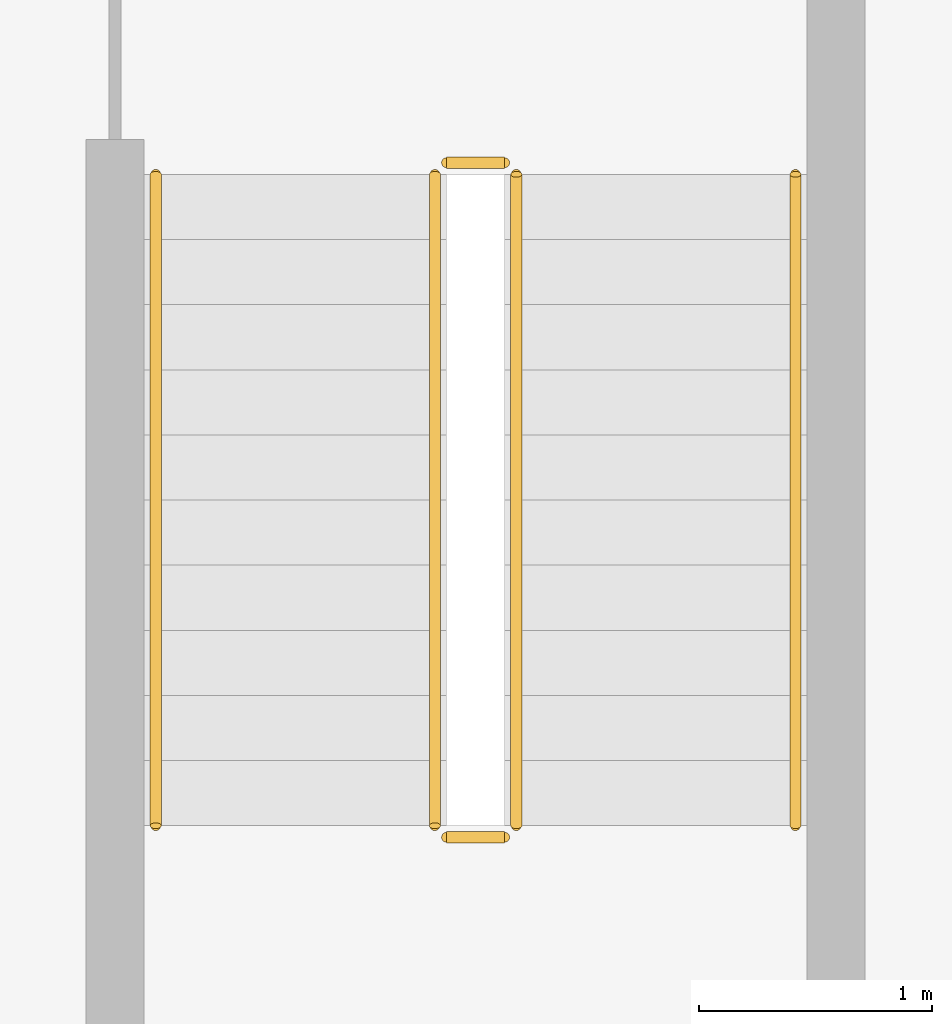
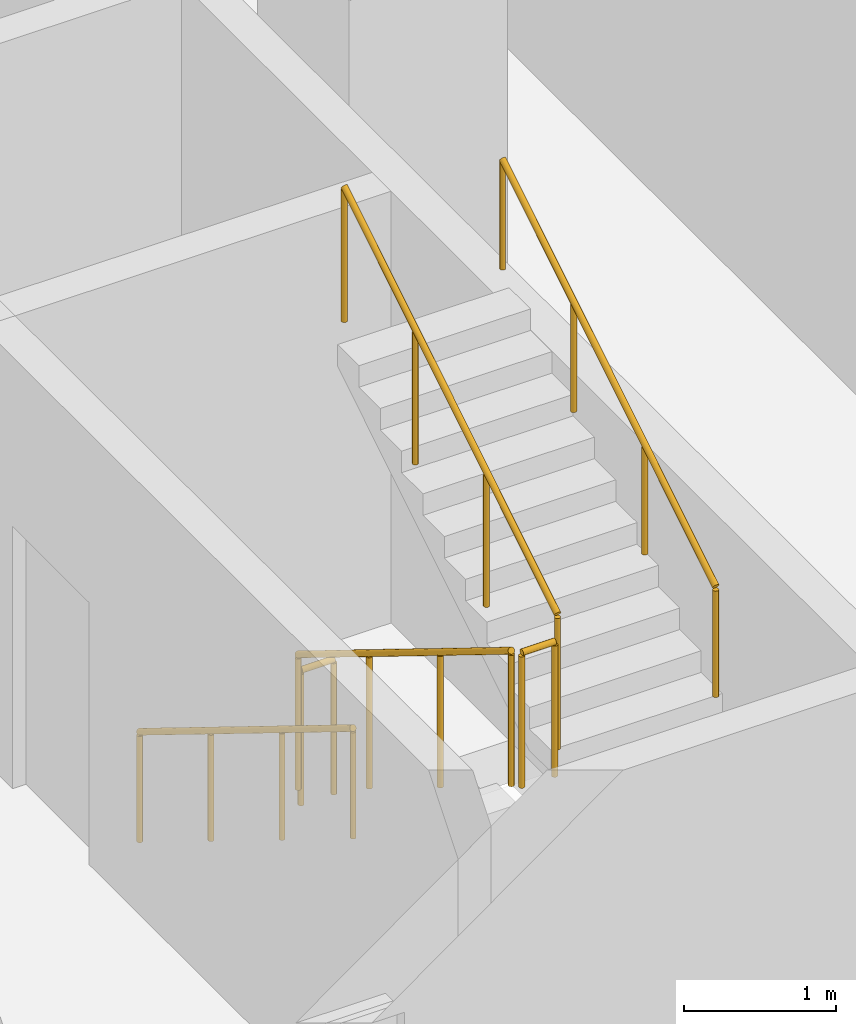
# One storey, part 23 of 27: 6 railings.
"""IFC4 building model written with IfcOpenShell, lengths in metres."""

import ifcopenshell
import ifcopenshell.guid

model = None  # the IFC model being written
_history = None  # IfcOwnerHistory: only IFC2X3 demands one
_inside = {}  # id of a spatial element -> (the spatial element, [elements in it])
_under = {}  # id of a project, library or spatial element -> (it, [spatial elements below it])
_declared = {}  # id of a project -> (the project, [libraries it declares])
_typed = {}  # id of a type object -> (the type object, [elements of that type])
_made_of = {}  # id of a material, layer set ... -> (it, [elements and type objects made of it])


def new_model(schema):
    """Start an empty IFC model of exactly this schema.

    Asked for "IFC4X3", IfcOpenShell would pick the latest addendum, in which some entities
    have other attributes; the version numbers below select the first issue.
    IFC2X3 requires an IfcOwnerHistory on every rooted entity: one is made here for all.
    """
    global model, _history
    if schema == "IFC4X3":
        model = ifcopenshell.file(schema_version=(4, 3, 0, 0))
    else:
        model = ifcopenshell.file(schema=schema)
    _inside.clear()
    _under.clear()
    _declared.clear()
    _typed.clear()
    _made_of.clear()
    _history = None
    if model.schema == "IFC2X3":
        org = make("IfcOrganization", Name="unknown")
        user = make(
            "IfcPersonAndOrganization",
            ThePerson=make("IfcPerson", FamilyName="unknown"),
            TheOrganization=org,
        )
        app = make(
            "IfcApplication",
            ApplicationDeveloper=org,
            Version="unknown",
            ApplicationFullName="unknown",
            ApplicationIdentifier="unknown",
        )
        _history = make(
            "IfcOwnerHistory",
            OwningUser=user,
            OwningApplication=app,
            ChangeAction="ADDED",
            CreationDate=0,
        )
    return model


def make(cls, **values):
    """One entity of the class cls with the attributes given. An attribute that is None is left unset."""
    return model.create_entity(
        cls, **{name: value for name, value in values.items() if value is not None}
    )


def rooted(cls, **values):
    """An entity with a GlobalId (a new one), such as an element, a storey or a relation."""
    return make(cls, GlobalId=ifcopenshell.guid.new(), OwnerHistory=_history, **values)


def si_unit(unit_type, name, prefix=None):
    """IfcSIUnit, for example si_unit("LENGTHUNIT", "METRE", prefix="MILLI")."""
    return make("IfcSIUnit", UnitType=unit_type, Prefix=prefix, Name=name)


def assignment(units):
    """IfcUnitAssignment: the units of a project."""
    return None if units is None else make("IfcUnitAssignment", Units=units)


def point(xyz):
    """IfcCartesianPoint."""
    return None if xyz is None else make("IfcCartesianPoint", Coordinates=xyz)


def direction(xyz):
    """IfcDirection."""
    return None if xyz is None else make("IfcDirection", DirectionRatios=xyz)


def frame(location, z_axis=None, x_axis=None):
    """IfcAxis2Placement3D, a coordinate frame: its origin and axes. An axis left out is left unset."""
    return make(
        "IfcAxis2Placement3D",
        Location=point(location),
        Axis=direction(z_axis),
        RefDirection=direction(x_axis),
    )


def frame_2d(location, x_axis=None):
    """IfcAxis2Placement2D, a coordinate frame in the plane: its origin and x axis."""
    return make(
        "IfcAxis2Placement2D", Location=point(location), RefDirection=direction(x_axis)
    )


def origin():
    """The frame at (0, 0, 0) with its axes left unset."""
    return frame((0.0, 0.0, 0.0))


def origin_2d():
    """The frame at (0, 0) in the plane with its x axis left unset."""
    return frame_2d((0.0, 0.0))


def place(relative_to, where):
    """IfcLocalPlacement: puts the frame where relative to a parent placement (None: the world)."""
    return make(
        "IfcLocalPlacement", PlacementRelTo=relative_to, RelativePlacement=where
    )


def context(
    kind, dimensions, precision=None, world=None, true_north=None, identifier=None
):
    """IfcGeometricRepresentationContext, for example the 3D "Model" context."""
    return make(
        "IfcGeometricRepresentationContext",
        ContextIdentifier=identifier,
        ContextType=kind,
        CoordinateSpaceDimension=dimensions,
        Precision=precision,
        WorldCoordinateSystem=world,
        TrueNorth=true_north,
    )


def subcontext(parent, identifier, kind, view, scale=None):
    """IfcGeometricRepresentationSubContext, for example "Body" below "Model"."""
    return make(
        "IfcGeometricRepresentationSubContext",
        ContextIdentifier=identifier,
        ContextType=kind,
        ParentContext=parent,
        TargetScale=scale,
        TargetView=view,
    )


def project(units=None, contexts=None):
    """IfcProject with its units and contexts."""
    return rooted(
        "IfcProject",
        Name="project",
        RepresentationContexts=contexts,
        UnitsInContext=assignment(units),
    )


def spatial(cls, under=None, at=None, **own):
    """A site, building, storey or space (cls), placed at a placement, below another one or the project."""
    s = rooted(cls, ObjectPlacement=at, **own)
    if under is not None:
        _under.setdefault(under.id(), (under, []))[1].append(s)
    return s


def profile(cls, at=None, kind="AREA", **sizes):
    """A parametric profile (cls). Its sizes go by their IFC names, for example OverallWidth=200.0."""
    return make(cls, ProfileType=kind, Position=at, **sizes)


def circle(**sizes):
    """IfcCircleProfileDef."""
    return profile("IfcCircleProfileDef", **sizes)


def extrude(swept, where, along, depth):
    """IfcExtrudedAreaSolid: the profile swept, set in the frame where, extruded along a direction by depth."""
    return make(
        "IfcExtrudedAreaSolid",
        SweptArea=swept,
        Position=where,
        ExtrudedDirection=direction(along),
        Depth=depth,
    )


def shape(context_of_items, identifier, shape_type, items):
    """IfcShapeRepresentation: the items that make up one representation, for example the "Body"."""
    return make(
        "IfcShapeRepresentation",
        ContextOfItems=context_of_items,
        RepresentationIdentifier=identifier,
        RepresentationType=shape_type,
        Items=items,
    )


def material(Name=None, Category=None):
    """IfcMaterial."""
    return make("IfcMaterial", Name=Name, Category=Category)


def made_of(thing, what):
    """Note that an element or type object is made of a material, layer set ...; save() writes the relation."""
    if what is not None:
        _made_of.setdefault(what.id(), (what, []))[1].append(thing)
    return thing


def type_object(cls, material=None, **own):
    """A type object (cls), such as IfcWallType, which elements share."""
    return made_of(rooted(cls, **own), material)


def element(
    cls,
    number,
    at=None,
    inside=None,
    cuts=None,
    type_object=None,
    material=None,
    context=None,
    identifier="Body",
    shape_type=None,
    held_by="IfcProductDefinitionShape",
    body=None,
    shapes=None,
    **own,
):
    """One element of the class cls, such as IfcWall. Its Tag is "e" and its number.

    at: its placement. inside: the storey or other place that contains it. cuts: it is an
    opening in that element (IfcRelVoidsElement). A single representation is given by context,
    identifier, shape_type and body (its items); several are given by shapes. held_by: the class
    of the entity that holds the representations. save() writes the other relations.
    """
    e = rooted(cls, Tag="e%d" % number, ObjectPlacement=at, **own)
    if body is not None:
        shapes = [shape(context, identifier, shape_type, body)]
    if shapes is not None:
        e.Representation = make(held_by, Representations=shapes)
    if inside is not None:
        _inside.setdefault(inside.id(), (inside, []))[1].append(e)
    if cuts is not None:
        rooted(
            "IfcRelVoidsElement", RelatingBuildingElement=cuts, RelatedOpeningElement=e
        )
    if type_object is not None:
        _typed.setdefault(type_object.id(), (type_object, []))[1].append(e)
    return made_of(e, material)


def aggregate(whole, parts):
    """IfcRelAggregates: a whole, such as a stair, and the parts it consists of."""
    return rooted("IfcRelAggregates", RelatingObject=whole, RelatedObjects=parts)


def save(model, path):
    """Write the relations noted so far, then the file.

    IfcRelAggregates (storeys below a building ...), IfcRelContainedInSpatialStructure (elements
    in a storey), IfcRelDefinesByType, IfcRelAssociatesMaterial and IfcRelDeclares: one each for
    every whole, place, type object, material and project.
    """
    for whole, parts in _under.values():
        aggregate(whole, parts)
    for where, things in _inside.values():
        rooted(
            "IfcRelContainedInSpatialStructure",
            RelatedElements=things,
            RelatingStructure=where,
        )
    for kind, things in _typed.values():
        rooted("IfcRelDefinesByType", RelatedObjects=things, RelatingType=kind)
    for what, things in _made_of.values():
        rooted("IfcRelAssociatesMaterial", RelatedObjects=things, RelatingMaterial=what)
    for by, libraries in _declared.values():
        rooted("IfcRelDeclares", RelatingContext=by, RelatedDefinitions=libraries)
    model.write(path)


model = new_model("IFC4")

# Units and contexts
model_context = context("Model", 3, precision=1e-05, world=origin(), true_north=direction((0.0, 1.0)))
body_context = subcontext(model_context, "Body", "Model", "MODEL_VIEW")
ifc_project = project(units=[si_unit("LENGTHUNIT", "METRE"), si_unit("AREAUNIT", "SQUARE_METRE"), si_unit("VOLUMEUNIT", "CUBIC_METRE"), si_unit("PLANEANGLEUNIT", "RADIAN"), si_unit("MASSUNIT", "GRAM", prefix="KILO")], contexts=[model_context])

# Site, building, storey
site_placement = place(None, origin())
site = spatial("IfcSite", under=ifc_project, at=site_placement, CompositionType="ELEMENT")
building_placement = place(site_placement, origin())
building = spatial("IfcBuilding", under=site, at=building_placement, Name="Mahtab Terrace Research Tower", CompositionType="ELEMENT")
storey_placement = place(building_placement, frame((0.0, 0.0, 170.60009765625)))
storey = spatial("IfcBuildingStorey", under=building, at=storey_placement, Name="L40", CompositionType="ELEMENT", Elevation=170.60009765625)

# Railings
ifc_material = material(Name="Stainless steel AISI 304", Category="steel")
railing_type_1 = type_object("IfcRailingType", Name="Stair guard 1100", PredefinedType="GUARDRAIL", material=ifc_material)
railing_1_placement = place(storey_placement, frame((2.949951171875, -4.175048828125, 0.172607421875)))
element("IfcRailing", 1, at=railing_1_placement, inside=storey, type_object=railing_type_1, Name="L40 ST2 stair guard 1", PredefinedType="GUARDRAIL", context=body_context, shape_type="SweptSolid", body=[
    extrude(circle(Radius=0.02392578125, at=origin_2d()), frame((0.0, 0.0, 1.076171875), z_axis=(0.0, -0.851089632645, 0.525020415988), x_axis=(1.0, 0.0, 0.0)), (0.0, 0.0, 1.0), 3.2900390625),
    extrude(circle(Radius=0.02099609375, at=origin_2d()), origin(), (0.0, 0.0, 1.0), 1.052001953125),
    extrude(circle(Radius=0.02099609375, at=origin_2d()), frame((0.0, -0.933349609375, 0.57568359375)), (0.0, 0.0, 1.0), 1.052001953125),
    extrude(circle(Radius=0.02099609375, at=origin_2d()), frame((0.0, -1.86669921875, 1.151611328125)), (0.0, 0.0, 1.0), 1.052001953125),
    extrude(circle(Radius=0.02099609375, at=origin_2d()), frame((0.0, -2.800048828125, 1.727294921875)), (0.0, 0.0, 1.0), 1.052001953125),
])
railing_2_placement = place(storey_placement, frame((3.0, -7.02490234375, 1.89990234375)))
element("IfcRailing", 2, at=railing_2_placement, inside=storey, type_object=railing_type_1, Name="L40 ST2 stair guard 2", PredefinedType="GUARDRAIL", context=body_context, shape_type="SweptSolid", body=[
    extrude(circle(Radius=0.02392578125, at=origin_2d()), frame((0.0, 0.0, 1.076171875), z_axis=(1.0, 0.0, 0.0), x_axis=(0.0, 1.0, 0.0)), (0.0, 0.0, 1.0), 0.25),
    extrude(circle(Radius=0.02099609375, at=origin_2d()), origin(), (0.0, 0.0, 1.0), 1.052001953125),
    extrude(circle(Radius=0.02099609375, at=origin_2d()), frame((0.25, 0.0, 0.0)), (0.0, 0.0, 1.0), 1.052001953125),
])
railing_3_placement = place(storey_placement, frame((3.300048828125, -6.97509765625, 2.072509765625)))
element("IfcRailing", 3, at=railing_3_placement, inside=storey, type_object=railing_type_1, Name="L40 ST2 stair guard 3", PredefinedType="GUARDRAIL", context=body_context, shape_type="SweptSolid", body=[
    extrude(circle(Radius=0.02392578125, at=origin_2d()), frame((0.0, 0.0, 1.076171875), z_axis=(0.0, 0.851089632645, 0.525020415988), x_axis=(-1.0, 0.0, 0.0)), (0.0, 0.0, 1.0), 3.2900390625),
    extrude(circle(Radius=0.02099609375, at=origin_2d()), origin(), (0.0, 0.0, 1.0), 1.052001953125),
    extrude(circle(Radius=0.02099609375, at=origin_2d()), frame((0.0, 0.933349609375, 0.57568359375)), (0.0, 0.0, 1.0), 1.052001953125),
    extrude(circle(Radius=0.02099609375, at=origin_2d()), frame((0.0, 1.86669921875, 1.151611328125)), (0.0, 0.0, 1.0), 1.052001953125),
    extrude(circle(Radius=0.02099609375, at=origin_2d()), frame((0.0, 2.800048828125, 1.727294921875)), (0.0, 0.0, 1.0), 1.052001953125),
])
railing_4_placement = place(storey_placement, frame((3.0, -4.125, 0.0)))
element("IfcRailing", 4, at=railing_4_placement, inside=storey, type_object=railing_type_1, Name="L40 ST2 stair guard 4", PredefinedType="GUARDRAIL", context=body_context, shape_type="SweptSolid", body=[
    extrude(circle(Radius=0.02392578125, at=origin_2d()), frame((0.0, 0.0, 1.076171875), z_axis=(1.0, 0.0, 0.0), x_axis=(0.0, 1.0, 0.0)), (0.0, 0.0, 1.0), 0.25),
    extrude(circle(Radius=0.02099609375, at=origin_2d()), origin(), (0.0, 0.0, 1.0), 1.052001953125),
    extrude(circle(Radius=0.02099609375, at=origin_2d()), frame((0.25, 0.0, 0.0)), (0.0, 0.0, 1.0), 1.052001953125),
])
railing_type_2 = type_object("IfcRailingType", Name="Stair handrail 900", PredefinedType="HANDRAIL", material=ifc_material)
railing_5_placement = place(storey_placement, frame((1.75, -4.175048828125, 0.172607421875)))
element("IfcRailing", 5, at=railing_5_placement, inside=storey, type_object=railing_type_2, Name="L40 ST2 stair handrail 1", PredefinedType="HANDRAIL", context=body_context, shape_type="SweptSolid", body=[
    extrude(circle(Radius=0.02392578125, at=origin_2d()), frame((0.0, 0.0, 0.8759765625), z_axis=(0.0, -0.851089632645, 0.525020415988), x_axis=(1.0, 0.0, 0.0)), (0.0, 0.0, 1.0), 3.2900390625),
    extrude(circle(Radius=0.02099609375, at=origin_2d()), origin(), (0.0, 0.0, 1.0), 0.851806640625),
    extrude(circle(Radius=0.02099609375, at=origin_2d()), frame((0.0, -0.933349609375, 0.57568359375)), (0.0, 0.0, 1.0), 0.851806640625),
    extrude(circle(Radius=0.02099609375, at=origin_2d()), frame((0.0, -1.86669921875, 1.151611328125)), (0.0, 0.0, 1.0), 0.851806640625),
    extrude(circle(Radius=0.02099609375, at=origin_2d()), frame((0.0, -2.800048828125, 1.727294921875)), (0.0, 0.0, 1.0), 0.851806640625),
])
railing_6_placement = place(storey_placement, frame((4.5, -6.97509765625, 2.072509765625)))
element("IfcRailing", 6, at=railing_6_placement, inside=storey, type_object=railing_type_2, Name="L40 ST2 stair handrail 2", PredefinedType="HANDRAIL", context=body_context, shape_type="SweptSolid", body=[
    extrude(circle(Radius=0.02392578125, at=origin_2d()), frame((0.0, 0.0, 0.8759765625), z_axis=(0.0, 0.851089632645, 0.525020415988), x_axis=(-1.0, 0.0, 0.0)), (0.0, 0.0, 1.0), 3.2900390625),
    extrude(circle(Radius=0.02099609375, at=origin_2d()), origin(), (0.0, 0.0, 1.0), 0.851806640625),
    extrude(circle(Radius=0.02099609375, at=origin_2d()), frame((0.0, 0.933349609375, 0.57568359375)), (0.0, 0.0, 1.0), 0.851806640625),
    extrude(circle(Radius=0.02099609375, at=origin_2d()), frame((0.0, 1.86669921875, 1.151611328125)), (0.0, 0.0, 1.0), 0.851806640625),
    extrude(circle(Radius=0.02099609375, at=origin_2d()), frame((0.0, 2.800048828125, 1.727294921875)), (0.0, 0.0, 1.0), 0.851806640625),
])

save(model, "model.ifc")
